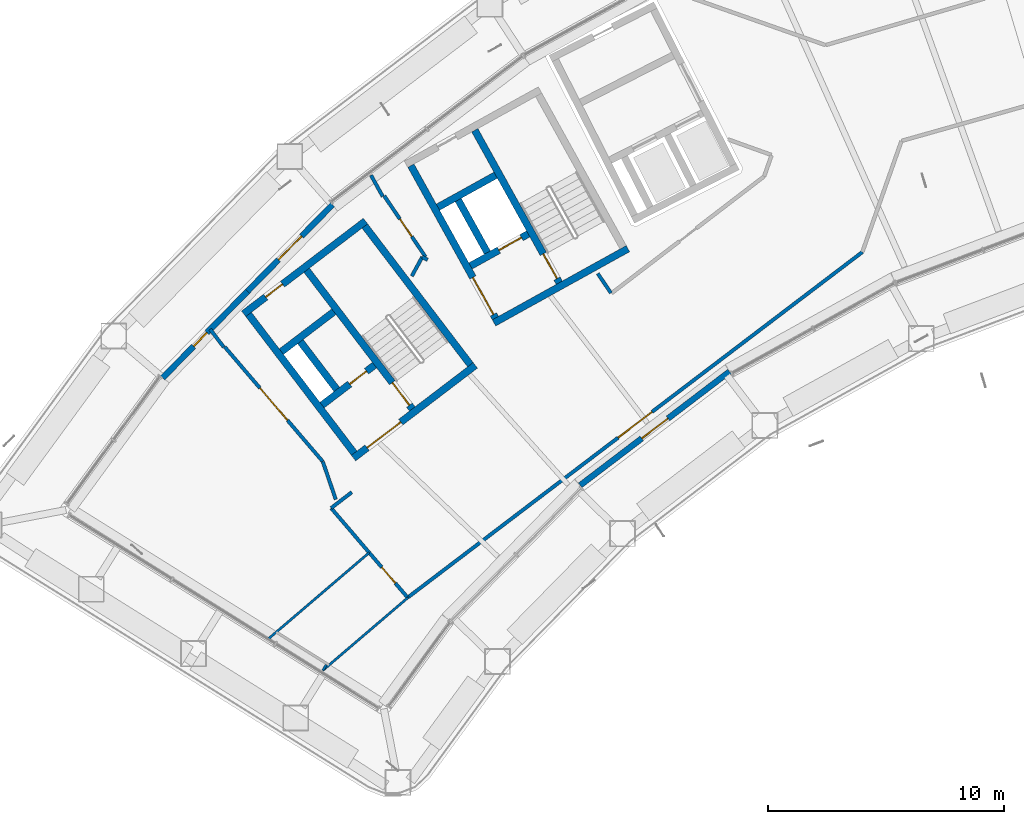
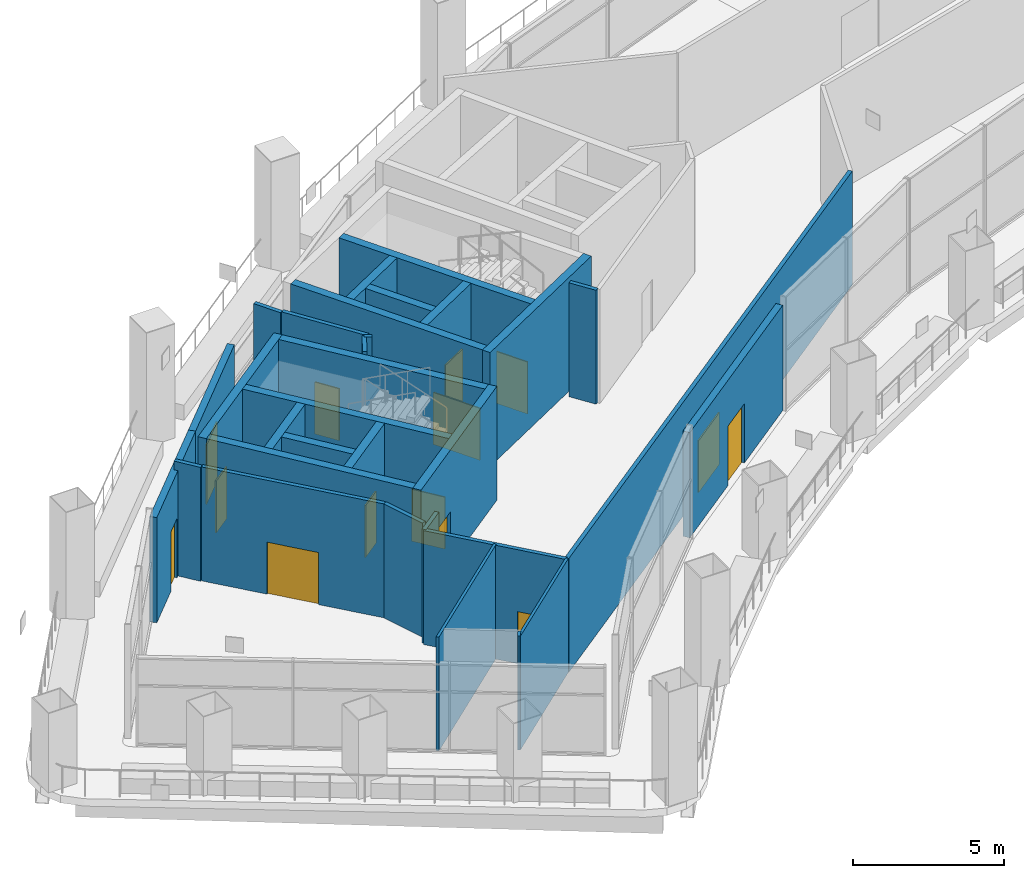
# One storey, part 16 of 28: 31 walls, 13 doors, 1 window, 14 openings.
"""IFC4 building model written with IfcOpenShell, lengths in metres."""

from ifc_helpers import new_model, si_unit, direction, frame, frame_2d, origin, place, context, subcontext, project, spatial, rectangle, extrude, material, layer, layer_set, type_object, element, fill, save


model = new_model("IFC4")

# Units and contexts
model_context = context("Model", 3, precision=1e-05, world=origin(), true_north=direction((0.0, 1.0)))
body_context = subcontext(model_context, "Body", "Model", "MODEL_VIEW")
ifc_project = project(units=[si_unit("LENGTHUNIT", "METRE"), si_unit("AREAUNIT", "SQUARE_METRE"), si_unit("VOLUMEUNIT", "CUBIC_METRE"), si_unit("PLANEANGLEUNIT", "RADIAN"), si_unit("MASSUNIT", "GRAM", prefix="KILO")], contexts=[model_context])

# Site, building, storey
site_placement = place(None, origin())
site = spatial("IfcSite", under=ifc_project, at=site_placement, CompositionType="ELEMENT")
building_placement = place(site_placement, origin())
building = spatial("IfcBuilding", under=site, at=building_placement, Name="Tuul Gate Civic Tower", CompositionType="ELEMENT")
storey_placement = place(building_placement, frame((0.0, 0.0, 128.699951171875)))
storey = spatial("IfcBuildingStorey", under=building, at=storey_placement, Name="Sky garden level 1", CompositionType="ELEMENT", Elevation=128.699951171875)

# Wall, opening, door
ifc_material_1 = material(Name="Concrete C50/60", Category="concrete")
ifc_layer_1 = layer(ifc_material_1, 0.300048828125)
ifc_layer_set_1 = layer_set([ifc_layer_1], Name="Concrete C50/60")
wall_type_1 = type_object("IfcWallType", Name="Core wall C50/60", PredefinedType="SHEAR", material=ifc_layer_set_1)
wall_1_placement = place(storey_placement, frame((-31.19091796875, -13.669677734375, 0.0), z_axis=(0.0, 0.0, 1.0), x_axis=(-0.795606717756, -0.605813461934, 0.0)))
wall_1 = element("IfcWall", 1, at=wall_1_placement, inside=storey, type_object=wall_type_1, Name="Core wall", PredefinedType="SHEAR", context=body_context, shape_type="SweptSolid", body=[
    extrude(rectangle(XDim=6.5, YDim=0.300048828125, at=frame_2d((3.25, 0.0))), origin(), (0.0, 0.0, 1.0), 4.60009765625),
])
opening_1_placement = place(wall_1_placement, frame((3.97509765625, 0.0, 0.0)))
opening_1 = element("IfcOpeningElement", 2, at=opening_1_placement, cuts=wall_1, Name="Opening LB-W1-LOBBY-1", PredefinedType="OPENING", context=body_context, shape_type="SweptSolid", body=[
    extrude(rectangle(XDim=1.800048828125, YDim=2.10009765625, at=frame_2d((0.89990234375, 1.050048828125))), frame((0.0, 0.16015625, 0.0), z_axis=(0.0, -1.0, 0.0), x_axis=(1.0, 0.0, 0.0)), (0.0, 0.0, 1.0), 0.320068359375),
])
ifc_material_2 = material(Name="Steel", Category="steel")
door_type_1 = type_object("IfcDoorType", Name="Lobby door", OperationType="DOUBLE_DOOR_SINGLE_SWING", PredefinedType="DOOR", material=ifc_material_2)
door_1_placement = place(opening_1_placement, origin())
door_1 = element("IfcDoor", 3, at=door_1_placement, inside=storey, type_object=door_type_1, Name="Lobby door W1-LOBBY", OperationType="DOUBLE_DOOR_SINGLE_SWING", OverallHeight=2.10009765625, OverallWidth=1.800048828125, PredefinedType="DOOR", context=body_context, shape_type="SweptSolid", body=[
    extrude(rectangle(XDim=1.800048828125, YDim=2.10009765625, at=frame_2d((0.89990234375, 1.050048828125))), frame((0.0, 0.02490234375, 0.0), z_axis=(0.0, -1.0, 0.0), x_axis=(1.0, 0.0, 0.0)), (0.0, 0.0, 1.0), 0.050048828125),
])
fill(opening_1, door_1)

wall_2_placement = place(storey_placement, frame((-35.470947265625, -13.66064453125, 0.0), z_axis=(0.0, 0.0, 1.0), x_axis=(-0.795615822227, -0.605801504968, 0.0)))
wall_2 = element("IfcWall", 4, at=wall_2_placement, inside=storey, type_object=wall_type_1, Name="Core wall", PredefinedType="SHEAR", context=body_context, shape_type="SweptSolid", body=[
    extrude(rectangle(XDim=2.800048828125, YDim=0.300048828125, at=frame_2d((1.39990234375, 0.0))), origin(), (0.0, 0.0, 1.0), 4.60009765625),
])
opening_2_placement = place(wall_2_placement, frame((0.425048828125, 0.0, 0.0)))
opening_2 = element("IfcOpeningElement", 5, at=opening_2_placement, cuts=wall_2, Name="Opening FB-W1A1", PredefinedType="OPENING", context=body_context, shape_type="SweptSolid", body=[
    extrude(rectangle(XDim=0.89990234375, YDim=2.10009765625, at=frame_2d((0.449951171875, 1.050048828125))), frame((0.0, 0.16015625, 0.0), z_axis=(0.0, -1.0, 0.0), x_axis=(1.0, 0.0, 0.0)), (0.0, 0.0, 1.0), 0.320068359375),
])
ifc_material_3 = material(Name="Steel", Category="steel")
door_type_2 = type_object("IfcDoorType", Name="Store door", OperationType="NOTDEFINED", PredefinedType="DOOR", material=ifc_material_3)
door_2_placement = place(opening_2_placement, frame((0.89990234375, 0.0, 0.0), z_axis=(0.0, 0.0, 1.0), x_axis=(-1.0, 0.0, 0.0)))
door_2 = element("IfcDoor", 6, at=door_2_placement, inside=storey, type_object=door_type_2, Name="Store door W1A1", OperationType="SINGLE_SWING_RIGHT", OverallHeight=2.10009765625, OverallWidth=0.89990234375, PredefinedType="DOOR", context=body_context, shape_type="SweptSolid", body=[
    extrude(rectangle(XDim=0.89990234375, YDim=2.10009765625, at=frame_2d((0.449951171875, 1.050048828125))), frame((0.0, 0.02490234375, 0.0), z_axis=(0.0, -1.0, 0.0), x_axis=(1.0, 0.0, 0.0)), (0.0, 0.0, 1.0), 0.050048828125),
])
fill(opening_2, door_2)

# Wall
wall_3_placement = place(storey_placement, frame((-37.197509765625, -11.39306640625, 0.0), z_axis=(0.0, 0.0, 1.0), x_axis=(-0.795583820278, -0.605843531707, 0.0)))
element("IfcWall", 7, at=wall_3_placement, inside=storey, type_object=wall_type_1, Name="Core wall", PredefinedType="SHEAR", context=body_context, shape_type="SweptSolid", body=[
    extrude(rectangle(XDim=2.7998046875, YDim=0.300048828125, at=frame_2d((1.39990234375, 0.0))), origin(), (0.0, 0.0, 1.0), 4.60009765625),
])

# Wall, opening, door
wall_4_placement = place(storey_placement, frame((-35.855224609375, -7.543212890625, 0.0), z_axis=(0.0, 0.0, 1.0), x_axis=(-0.79563860527, -0.605771582202, 0.0)))
wall_4 = element("IfcWall", 8, at=wall_4_placement, inside=storey, type_object=wall_type_1, Name="Core wall", PredefinedType="SHEAR", context=body_context, shape_type="SweptSolid", body=[
    extrude(rectangle(XDim=6.5, YDim=0.300048828125, at=frame_2d((3.25, 0.0))), origin(), (0.0, 0.0, 1.0), 4.60009765625),
])
opening_3_placement = place(wall_4_placement, frame((4.425048828125, 0.0, 0.0)))
opening_3 = element("IfcOpeningElement", 9, at=opening_3_placement, cuts=wall_4, Name="Opening J-D14", PredefinedType="OPENING", context=body_context, shape_type="SweptSolid", body=[
    extrude(rectangle(XDim=0.89990234375, YDim=2.10009765625, at=frame_2d((0.449951171875, 1.050048828125))), frame((0.0, 0.16015625, 0.0), z_axis=(0.0, -1.0, 0.0), x_axis=(1.0, 0.0, 0.0)), (0.0, 0.0, 1.0), 0.320068359375),
])
ifc_material_4 = material(Name="Timber door leaf", Category="wood")
door_type_3 = type_object("IfcDoorType", Name="Door D09", OperationType="NOTDEFINED", PredefinedType="DOOR", material=ifc_material_4)
door_3_placement = place(opening_3_placement, origin())
door_3 = element("IfcDoor", 10, at=door_3_placement, inside=storey, type_object=door_type_3, Name="Door J-D14", OperationType="SINGLE_SWING_LEFT", OverallHeight=2.10009765625, OverallWidth=0.89990234375, PredefinedType="DOOR", context=body_context, shape_type="SweptSolid", body=[
    extrude(rectangle(XDim=0.89990234375, YDim=2.10009765625, at=frame_2d((0.449951171875, 1.050048828125))), frame((0.0, 0.02490234375, 0.0), z_axis=(0.0, -1.0, 0.0), x_axis=(1.0, 0.0, 0.0)), (0.0, 0.0, 1.0), 0.050048828125),
])
fill(opening_3, door_3)

# Wall
wall_5_placement = place(storey_placement, frame((-31.401123046875, -13.64111328125, 0.0), z_axis=(0.0, 0.0, 1.0), x_axis=(-0.605769822278, 0.795639945213, 0.0)))
element("IfcWall", 11, at=wall_5_placement, inside=storey, type_object=wall_type_1, Name="Core wall", PredefinedType="SHEAR", context=body_context, shape_type="SweptSolid", body=[
    extrude(rectangle(XDim=7.39990234375, YDim=0.300048828125, at=frame_2d((3.699951171875, 0.0))), origin(), (0.0, 0.0, 1.0), 4.60009765625),
])

# Wall, opening, door
wall_6_placement = place(storey_placement, frame((-33.867431640625, -15.51904296875, 0.0), z_axis=(0.0, 0.0, 1.0), x_axis=(-0.605769822278, 0.795639945213, 0.0)))
wall_6 = element("IfcWall", 12, at=wall_6_placement, inside=storey, type_object=wall_type_1, Name="Core wall", PredefinedType="SHEAR", context=body_context, shape_type="SweptSolid", body=[
    extrude(rectangle(XDim=7.39990234375, YDim=0.300048828125, at=frame_2d((3.699951171875, 0.0))), origin(), (0.0, 0.0, 1.0), 4.60009765625),
])
opening_4_placement = place(wall_6_placement, frame((0.199951171875, 0.0, 0.0)))
opening_4 = element("IfcOpeningElement", 13, at=opening_4_placement, cuts=wall_6, Name="Opening SD-ST-1", PredefinedType="OPENING", context=body_context, shape_type="SweptSolid", body=[
    extrude(rectangle(XDim=1.199951171875, YDim=2.10009765625, at=frame_2d((0.60009765625, 1.050048828125))), frame((0.0, 0.16015625, 0.0), z_axis=(0.0, -1.0, 0.0), x_axis=(1.0, 0.0, 0.0)), (0.0, 0.0, 1.0), 0.320068359375),
])
ifc_material_5 = material(Name="Steel", Category="steel")
door_type_4 = type_object("IfcDoorType", Name="Stair door", OperationType="NOTDEFINED", PredefinedType="DOOR", material=ifc_material_5)
door_4_placement = place(opening_4_placement, origin())
door_4 = element("IfcDoor", 14, at=door_4_placement, inside=storey, type_object=door_type_4, Name="Stair door ST-1", OperationType="SINGLE_SWING_LEFT", OverallHeight=2.10009765625, OverallWidth=1.199951171875, PredefinedType="DOOR", context=body_context, shape_type="SweptSolid", body=[
    extrude(rectangle(XDim=1.199951171875, YDim=2.10009765625, at=frame_2d((0.60009765625, 1.050048828125))), frame((0.0, 0.02490234375, 0.0), z_axis=(0.0, -1.0, 0.0), x_axis=(1.0, 0.0, 0.0)), (0.0, 0.0, 1.0), 0.050048828125),
])
fill(opening_4, door_4)

# Walls
wall_7_placement = place(storey_placement, frame((-37.073486328125, -14.6923828125, 0.0), z_axis=(0.0, 0.0, 1.0), x_axis=(-0.605728760074, 0.79567120673, 0.0)))
element("IfcWall", 15, at=wall_7_placement, inside=storey, type_object=wall_type_1, Name="Core wall", PredefinedType="SHEAR", context=body_context, shape_type="SweptSolid", body=[
    extrude(rectangle(XDim=2.550048828125, YDim=0.300048828125, at=frame_2d((1.27490234375, 0.0))), origin(), (0.0, 0.0, 1.0), 4.60009765625),
])
wall_8_placement = place(storey_placement, frame((-36.333984375, -17.397216796875, 0.0), z_axis=(0.0, 0.0, 1.0), x_axis=(-0.605753921168, 0.795652051458, 0.0)))
element("IfcWall", 16, at=wall_8_placement, inside=storey, type_object=wall_type_1, Name="Core wall", PredefinedType="SHEAR", context=body_context, shape_type="SweptSolid", body=[
    extrude(rectangle(XDim=7.400146484375, YDim=0.300048828125, at=frame_2d((3.7001953125, 0.0))), origin(), (0.0, 0.0, 1.0), 4.60009765625),
])
wall_9_placement = place(storey_placement, frame((-24.711669921875, -8.7158203125, 0.0), z_axis=(0.0, 0.0, 1.0), x_axis=(-0.874629909008, -0.484791215132, 0.0)))
element("IfcWall", 17, at=wall_9_placement, inside=storey, type_object=wall_type_1, Name="Core wall", PredefinedType="SHEAR", context=body_context, shape_type="SweptSolid", body=[
    extrude(rectangle(XDim=6.5, YDim=0.300048828125, at=frame_2d((3.25, 0.0))), origin(), (0.0, 0.0, 1.0), 4.60009765625),
])

# Wall, opening, door
wall_10_placement = place(storey_placement, frame((-28.94580078125, -8.090087890625, 0.0), z_axis=(0.0, 0.0, 1.0), x_axis=(-0.874629840737, -0.484791338301, 0.0)))
wall_10 = element("IfcWall", 18, at=wall_10_placement, inside=storey, type_object=wall_type_1, Name="Core wall", PredefinedType="SHEAR", context=body_context, shape_type="SweptSolid", body=[
    extrude(rectangle(XDim=2.800048828125, YDim=0.300048828125, at=frame_2d((1.39990234375, 0.0))), origin(), (0.0, 0.0, 1.0), 4.60009765625),
])
opening_5_placement = place(wall_10_placement, frame((0.324951171875, 0.0, 0.0)))
opening_5 = element("IfcOpeningElement", 19, at=opening_5_placement, cuts=wall_10, Name="Opening LD-FF-1", PredefinedType="OPENING", context=body_context, shape_type="SweptSolid", body=[
    extrude(rectangle(XDim=1.10009765625, YDim=2.10009765625, at=frame_2d((0.550048828125, 1.050048828125))), frame((0.0, 0.16015625, 0.0), z_axis=(0.0, -1.0, 0.0), x_axis=(1.0, 0.0, 0.0)), (0.0, 0.0, 1.0), 0.320068359375),
])
ifc_material_6 = material(Name="Stainless steel", Category="steel")
door_type_5 = type_object("IfcDoorType", Name="Landing door", OperationType="DOUBLE_DOOR_SLIDING", PredefinedType="DOOR", material=ifc_material_6)
door_5_placement = place(opening_5_placement, origin())
door_5 = element("IfcDoor", 20, at=door_5_placement, inside=storey, type_object=door_type_5, Name="Fire-fighting lift FF-1 landing door", OperationType="DOUBLE_DOOR_SLIDING", OverallHeight=2.10009765625, OverallWidth=1.10009765625, PredefinedType="DOOR", context=body_context, shape_type="SweptSolid", body=[
    extrude(rectangle(XDim=1.10009765625, YDim=2.10009765625, at=frame_2d((0.550048828125, 1.050048828125))), frame((0.0, 0.02490234375, 0.0), z_axis=(0.0, -1.0, 0.0), x_axis=(1.0, 0.0, 0.0)), (0.0, 0.0, 1.0), 0.050048828125),
])
fill(opening_5, door_5)

# Wall
wall_11_placement = place(storey_placement, frame((-30.327392578125, -5.59716796875, 0.0), z_axis=(0.0, 0.0, 1.0), x_axis=(-0.874629840737, -0.484791338301, 0.0)))
element("IfcWall", 21, at=wall_11_placement, inside=storey, type_object=wall_type_1, Name="Core wall", PredefinedType="SHEAR", context=body_context, shape_type="SweptSolid", body=[
    extrude(rectangle(XDim=2.800048828125, YDim=0.300048828125, at=frame_2d((1.39990234375, 0.0))), origin(), (0.0, 0.0, 1.0), 4.60009765625),
])

# Wall, opening, door
wall_12_placement = place(storey_placement, frame((-27.626953125, -10.16015625, 0.0), z_axis=(0.0, 0.0, 1.0), x_axis=(-0.484751894226, 0.874651702704, 0.0)))
wall_12 = element("IfcWall", 22, at=wall_12_placement, inside=storey, type_object=wall_type_1, Name="Core wall", PredefinedType="SHEAR", context=body_context, shape_type="SweptSolid", body=[
    extrude(rectangle(XDim=7.39990234375, YDim=0.300048828125, at=frame_2d((3.699951171875, 0.0))), origin(), (0.0, 0.0, 1.0), 4.60009765625),
])
opening_6_placement = place(wall_12_placement, frame((0.199951171875, 0.0, 0.0)))
opening_6 = element("IfcOpeningElement", 23, at=opening_6_placement, cuts=wall_12, Name="Opening SD-ST-2", PredefinedType="OPENING", context=body_context, shape_type="SweptSolid", body=[
    extrude(rectangle(XDim=1.199951171875, YDim=2.10009765625, at=frame_2d((0.60009765625, 1.050048828125))), frame((0.0, 0.16015625, 0.0), z_axis=(0.0, -1.0, 0.0), x_axis=(1.0, 0.0, 0.0)), (0.0, 0.0, 1.0), 0.320068359375),
])
door_6_placement = place(opening_6_placement, origin())
door_6 = element("IfcDoor", 24, at=door_6_placement, inside=storey, type_object=door_type_4, Name="Stair door ST-2", OperationType="SINGLE_SWING_LEFT", OverallHeight=2.10009765625, OverallWidth=1.199951171875, PredefinedType="DOOR", context=body_context, shape_type="SweptSolid", body=[
    extrude(rectangle(XDim=1.199951171875, YDim=2.10009765625, at=frame_2d((0.60009765625, 1.050048828125))), frame((0.0, 0.02490234375, 0.0), z_axis=(0.0, -1.0, 0.0), x_axis=(1.0, 0.0, 0.0)), (0.0, 0.0, 1.0), 0.050048828125),
])
fill(opening_6, door_6)

# Wall
wall_13_placement = place(storey_placement, frame((-30.680419921875, -8.8798828125, 0.0), z_axis=(0.0, 0.0, 1.0), x_axis=(-0.484724115216, 0.874667097888, 0.0)))
element("IfcWall", 25, at=wall_13_placement, inside=storey, type_object=wall_type_1, Name="Core wall", PredefinedType="SHEAR", context=body_context, shape_type="SweptSolid", body=[
    extrude(rectangle(XDim=2.550048828125, YDim=0.300048828125, at=frame_2d((1.27490234375, 0.0))), origin(), (0.0, 0.0, 1.0), 4.60009765625),
])

# Wall, opening, door
wall_14_placement = place(storey_placement, frame((-30.33837890625, -11.6630859375, 0.0), z_axis=(0.0, 0.0, 1.0), x_axis=(-0.484751894226, 0.874651702704, 0.0)))
wall_14 = element("IfcWall", 26, at=wall_14_placement, inside=storey, type_object=wall_type_1, Name="Core wall", PredefinedType="SHEAR", context=body_context, shape_type="SweptSolid", body=[
    extrude(rectangle(XDim=7.39990234375, YDim=0.300048828125, at=frame_2d((3.699951171875, 0.0))), origin(), (0.0, 0.0, 1.0), 4.60009765625),
])
opening_7_placement = place(wall_14_placement, frame((0.175048828125, 0.0, 0.0)))
opening_7 = element("IfcOpeningElement", 27, at=opening_7_placement, cuts=wall_14, Name="Opening LB-W2-FLOBBY-1", PredefinedType="OPENING", context=body_context, shape_type="SweptSolid", body=[
    extrude(rectangle(XDim=1.800048828125, YDim=2.10009765625, at=frame_2d((0.89990234375, 1.050048828125))), frame((0.0, 0.16015625, 0.0), z_axis=(0.0, -1.0, 0.0), x_axis=(1.0, 0.0, 0.0)), (0.0, 0.0, 1.0), 0.320068359375),
])
door_7_placement = place(opening_7_placement, origin())
door_7 = element("IfcDoor", 28, at=door_7_placement, inside=storey, type_object=door_type_1, Name="Lobby door W2-FLOBBY", OperationType="DOUBLE_DOOR_SINGLE_SWING", OverallHeight=2.10009765625, OverallWidth=1.800048828125, PredefinedType="DOOR", context=body_context, shape_type="SweptSolid", body=[
    extrude(rectangle(XDim=1.800048828125, YDim=2.10009765625, at=frame_2d((0.89990234375, 1.050048828125))), frame((0.0, 0.02490234375, 0.0), z_axis=(0.0, -1.0, 0.0), x_axis=(1.0, 0.0, 0.0)), (0.0, 0.0, 1.0), 0.050048828125),
])
fill(opening_7, door_7)

# Walls
ifc_material_7 = material(Name="Gypsum board partition")
ifc_layer_2 = layer(ifc_material_7, 0.14990234375)
ifc_layer_set_2 = layer_set([ifc_layer_2], Name="Gypsum board partition")
wall_type_2 = type_object("IfcWallType", Name="Corridor wall P150", PredefinedType="PARTITIONING", material=ifc_layer_set_2)
wall_15_placement = place(storey_placement, frame((-37.3134765625, -19.7294921875, 0.0), z_axis=(0.0, 0.0, 1.0), x_axis=(0.793912196699, 0.608032420133, 0.0)))
element("IfcWall", 29, at=wall_15_placement, inside=storey, type_object=wall_type_2, Name="p007", PredefinedType="PARTITIONING", context=body_context, shape_type="SweptSolid", body=[
    extrude(rectangle(XDim=1.1044921875, YDim=0.14990234375, at=frame_2d((0.55224609375, 0.0))), origin(), (0.0, 0.0, 1.0), 4.60009765625),
])
wall_16_placement = place(storey_placement, frame((-25.99365234375, -9.77001953125, 0.0), z_axis=(0.0, 0.0, 1.0), x_axis=(0.561251524086, -0.827645290394, 0.0)))
element("IfcWall", 30, at=wall_16_placement, inside=storey, type_object=wall_type_2, Name="p009", PredefinedType="PARTITIONING", context=body_context, shape_type="SweptSolid", body=[
    extrude(rectangle(XDim=1.00341796875, YDim=0.14990234375, at=frame_2d((0.501708984375, 0.0))), origin(), (0.0, 0.0, 1.0), 4.60009765625),
])
wall_17_placement = place(storey_placement, frame((-35.62060546875, -5.597900390625, 0.0), z_axis=(0.0, 0.0, 1.0), x_axis=(0.484918324928, -0.874559442319, 0.0)))
element("IfcWall", 31, at=wall_17_placement, inside=storey, type_object=wall_type_2, Name="p010", PredefinedType="PARTITIONING", context=body_context, shape_type="SweptSolid", body=[
    extrude(rectangle(XDim=1.030029296875, YDim=0.14990234375, at=frame_2d((0.51513671875, 0.0))), origin(), (0.0, 0.0, 1.0), 4.60009765625),
])

# Wall, opening, door
wall_18_placement = place(storey_placement, frame((-35.058837890625, -6.475341796875, 0.0), z_axis=(0.0, 0.0, 1.0), x_axis=(0.561112093274, -0.827739825538, 0.0)))
wall_18 = element("IfcWall", 32, at=wall_18_placement, inside=storey, type_object=wall_type_2, Name="p011", PredefinedType="PARTITIONING", context=body_context, shape_type="SweptSolid", body=[
    extrude(rectangle(XDim=3.12890625, YDim=0.14990234375, at=frame_2d((1.564453125, 0.0))), origin(), (0.0, 0.0, 1.0), 4.60009765625),
])
opening_8_placement = place(wall_18_placement, frame((1.189453125, 0.0, 0.0)))
opening_8 = element("IfcOpeningElement", 33, at=opening_8_placement, cuts=wall_18, Name="Opening J-D03", PredefinedType="OPENING", context=body_context, shape_type="SweptSolid", body=[
    extrude(rectangle(XDim=0.89990234375, YDim=2.10009765625, at=frame_2d((0.449951171875, 1.050048828125))), frame((0.0, 0.0849609375, 0.0), z_axis=(0.0, -1.0, 0.0), x_axis=(1.0, 0.0, 0.0)), (0.0, 0.0, 1.0), 0.169921875),
])
door_8_placement = place(opening_8_placement, frame((0.89990234375, 0.0, 0.0), z_axis=(0.0, 0.0, 1.0), x_axis=(-1.0, 0.0, 0.0)))
door_8 = element("IfcDoor", 34, at=door_8_placement, inside=storey, type_object=door_type_3, Name="Door J-D03", OperationType="SINGLE_SWING_LEFT", OverallHeight=2.10009765625, OverallWidth=0.89990234375, PredefinedType="DOOR", context=body_context, shape_type="SweptSolid", body=[
    extrude(rectangle(XDim=0.89990234375, YDim=2.10009765625, at=frame_2d((0.449951171875, 1.050048828125))), frame((0.0, 0.02490234375, 0.0), z_axis=(0.0, -1.0, 0.0), x_axis=(1.0, 0.0, 0.0)), (0.0, 0.0, 1.0), 0.050048828125),
])
fill(opening_8, door_8)

# Walls
wall_19_placement = place(storey_placement, frame((-33.443115234375, -9.06689453125, 0.0), z_axis=(0.0, 0.0, 1.0), x_axis=(0.87738371262, -0.479789350474, 0.0)))
element("IfcWall", 35, at=wall_19_placement, inside=storey, type_object=wall_type_2, Name="p012", PredefinedType="PARTITIONING", context=body_context, shape_type="SweptSolid", body=[
    extrude(rectangle(XDim=0.25537109375, YDim=0.14990234375, at=frame_2d((0.127685546875, 0.0))), origin(), (0.0, 0.0, 1.0), 4.60009765625),
])
wall_20_placement = place(storey_placement, frame((-33.887451171875, -9.880126953125, 0.0), z_axis=(0.0, 0.0, 1.0), x_axis=(0.479479590626, 0.877553030975, 0.0)))
element("IfcWall", 36, at=wall_20_placement, inside=storey, type_object=wall_type_2, Name="p013", PredefinedType="PARTITIONING", context=body_context, shape_type="SweptSolid", body=[
    extrude(rectangle(XDim=0.9267578125, YDim=0.14990234375, at=frame_2d((0.46337890625, 0.0))), origin(), (0.0, 0.0, 1.0), 4.60009765625),
])
wall_21_placement = place(storey_placement, frame((-42.44921875, -12.13818359375, 0.0), z_axis=(0.0, 0.0, 1.0), x_axis=(0.605942602207, -0.795508367543, 0.0)))
element("IfcWall", 37, at=wall_21_placement, inside=storey, type_object=wall_type_2, Name="p023", PredefinedType="PARTITIONING", context=body_context, shape_type="SweptSolid", body=[
    extrude(rectangle(XDim=0.950439453125, YDim=0.14990234375, at=frame_2d((0.47509765625, 0.0))), origin(), (0.0, 0.0, 1.0), 4.60009765625),
])

# Wall, opening, door
wall_22_placement = place(storey_placement, frame((-41.834228515625, -12.8818359375, 0.0), z_axis=(0.0, 0.0, 1.0), x_axis=(0.649825143765, -0.760083733895, 0.0)))
wall_22 = element("IfcWall", 38, at=wall_22_placement, inside=storey, type_object=wall_type_2, Name="p024", PredefinedType="PARTITIONING", context=body_context, shape_type="SweptSolid", body=[
    extrude(rectangle(XDim=6.41259765625, YDim=0.14990234375, at=frame_2d((3.206298828125, 0.0))), origin(), (0.0, 0.0, 1.0), 4.60009765625),
])
opening_9_placement = place(wall_22_placement, frame((2.30615234375, 0.0, 0.0)))
opening_9 = element("IfcOpeningElement", 39, at=opening_9_placement, cuts=wall_22, Name="Opening J-D06", PredefinedType="OPENING", context=body_context, shape_type="SweptSolid", body=[
    extrude(rectangle(XDim=1.800048828125, YDim=2.10009765625, at=frame_2d((0.89990234375, 1.050048828125))), frame((0.0, 0.0849609375, 0.0), z_axis=(0.0, -1.0, 0.0), x_axis=(1.0, 0.0, 0.0)), (0.0, 0.0, 1.0), 0.169921875),
])
ifc_material_8 = material(Name="Timber door leaf, double", Category="wood")
door_type_6 = type_object("IfcDoorType", Name="Door D18", OperationType="DOUBLE_DOOR_SINGLE_SWING", PredefinedType="DOOR", material=ifc_material_8)
door_9_placement = place(opening_9_placement, frame((1.800048828125, 0.0, 0.0), z_axis=(0.0, 0.0, 1.0), x_axis=(-1.0, 0.0, 0.0)))
door_9 = element("IfcDoor", 40, at=door_9_placement, inside=storey, type_object=door_type_6, Name="Door J-D06", OperationType="DOUBLE_DOOR_SINGLE_SWING", OverallHeight=2.10009765625, OverallWidth=1.800048828125, PredefinedType="DOOR", context=body_context, shape_type="SweptSolid", body=[
    extrude(rectangle(XDim=1.800048828125, YDim=2.10009765625, at=frame_2d((0.900146484375, 1.050048828125))), frame((0.0, 0.02490234375, 0.0), z_axis=(0.0, -1.0, 0.0), x_axis=(1.0, 0.0, 0.0)), (0.0, 0.0, 1.0), 0.050048828125),
])
fill(opening_9, door_9)

# Wall
wall_23_placement = place(storey_placement, frame((-37.667236328125, -17.755859375, 0.0), z_axis=(0.0, 0.0, 1.0), x_axis=(0.32438293295, -0.945925849531, 0.0)))
element("IfcWall", 41, at=wall_23_placement, inside=storey, type_object=wall_type_2, Name="p025", PredefinedType="PARTITIONING", context=body_context, shape_type="SweptSolid", body=[
    extrude(rectangle(XDim=1.703857421875, YDim=0.14990234375, at=frame_2d((0.85205078125, 0.0))), origin(), (0.0, 0.0, 1.0), 4.60009765625),
])

# Wall, opening, door
wall_24_placement = place(storey_placement, frame((-37.3134765625, -19.7294921875, 0.0), z_axis=(0.0, 0.0, 1.0), x_axis=(0.649795679412, -0.760108923127, 0.0)))
wall_24 = element("IfcWall", 42, at=wall_24_placement, inside=storey, type_object=wall_type_2, Name="p026", PredefinedType="PARTITIONING", context=body_context, shape_type="SweptSolid", body=[
    extrude(rectangle(XDim=5.010498046875, YDim=0.14990234375, at=frame_2d((2.50537109375, 0.0))), origin(), (0.0, 0.0, 1.0), 4.60009765625),
])
opening_10_placement = place(wall_24_placement, frame((3.2998046875, 0.0, 0.0)))
opening_10 = element("IfcOpeningElement", 43, at=opening_10_placement, cuts=wall_24, Name="Opening J-D07", PredefinedType="OPENING", context=body_context, shape_type="SweptSolid", body=[
    extrude(rectangle(XDim=0.89990234375, YDim=2.10009765625, at=frame_2d((0.449951171875, 1.050048828125))), frame((0.0, 0.0849609375, 0.0), z_axis=(0.0, -1.0, 0.0), x_axis=(1.0, 0.0, 0.0)), (0.0, 0.0, 1.0), 0.169921875),
])
door_10_placement = place(opening_10_placement, frame((0.89990234375, 0.0, 0.0), z_axis=(0.0, 0.0, 1.0), x_axis=(-1.0, 0.0, 0.0)))
door_10 = element("IfcDoor", 44, at=door_10_placement, inside=storey, type_object=door_type_3, Name="Door J-D07", OperationType="SINGLE_SWING_LEFT", OverallHeight=2.10009765625, OverallWidth=0.89990234375, PredefinedType="DOOR", context=body_context, shape_type="SweptSolid", body=[
    extrude(rectangle(XDim=0.89990234375, YDim=2.10009765625, at=frame_2d((0.449951171875, 1.050048828125))), frame((0.0, 0.02490234375, 0.0), z_axis=(0.0, -1.0, 0.0), x_axis=(1.0, 0.0, 0.0)), (0.0, 0.0, 1.0), 0.050048828125),
])
fill(opening_10, door_10)

wall_25_placement = place(storey_placement, frame((-34.0556640625, -23.523193359375, 0.0), z_axis=(0.0, 0.0, 1.0), x_axis=(0.796222557585, 0.605003833701, 0.0)))
wall_25 = element("IfcWall", 45, at=wall_25_placement, inside=storey, type_object=wall_type_2, Name="p037", PredefinedType="PARTITIONING", context=body_context, shape_type="SweptSolid", body=[
    extrude(rectangle(XDim=24.23681640625, YDim=0.14990234375, at=frame_2d((12.118408203125, 0.0))), origin(), (0.0, 0.0, 1.0), 4.60009765625),
])
opening_11_placement = place(wall_25_placement, frame((11.21826171875, 0.0, 0.0)))
opening_11 = element("IfcOpeningElement", 46, at=opening_11_placement, cuts=wall_25, Name="Opening J-D10", PredefinedType="OPENING", context=body_context, shape_type="SweptSolid", body=[
    extrude(rectangle(XDim=1.800048828125, YDim=2.10009765625, at=frame_2d((0.89990234375, 1.050048828125))), frame((0.0, 0.0849609375, 0.0), z_axis=(0.0, -1.0, 0.0), x_axis=(1.0, 0.0, 0.0)), (0.0, 0.0, 1.0), 0.169921875),
])
door_11_placement = place(opening_11_placement, origin())
door_11 = element("IfcDoor", 47, at=door_11_placement, inside=storey, type_object=door_type_6, Name="Door J-D10", OperationType="DOUBLE_DOOR_SINGLE_SWING", OverallHeight=2.10009765625, OverallWidth=1.800048828125, PredefinedType="DOOR", context=body_context, shape_type="SweptSolid", body=[
    extrude(rectangle(XDim=1.800048828125, YDim=2.10009765625, at=frame_2d((0.89990234375, 1.050048828125))), frame((0.0, 0.02490234375, 0.0), z_axis=(0.0, -1.0, 0.0), x_axis=(1.0, 0.0, 0.0)), (0.0, 0.0, 1.0), 0.050048828125),
])
fill(opening_11, door_11)

ifc_material_9 = material(Name="Precast concrete C40/50", Category="concrete")
ifc_layer_3 = layer(ifc_material_9, 0.25)
ifc_layer_set_3 = layer_set([ifc_layer_3], Name="Precast concrete C40/50")
wall_type_3 = type_object("IfcWallType", Name="External wall", PredefinedType="STANDARD", material=ifc_layer_set_3)
wall_26_placement = place(storey_placement, frame((-37.254638671875, -6.846435546875, 0.0), z_axis=(0.0, 0.0, 1.0), x_axis=(-0.70005671953, -0.714087242178, 0.0)))
wall_26 = element("IfcWall", 48, at=wall_26_placement, inside=storey, type_object=wall_type_3, Name="External wall", PredefinedType="STANDARD", context=body_context, shape_type="SweptSolid", body=[
    extrude(rectangle(XDim=5.150634765625, YDim=0.25, at=frame_2d((2.5751953125, 0.0))), origin(), (0.0, 0.0, 1.0), 4.25),
])
opening_12_placement = place(wall_26_placement, frame((1.875244140625, 0.0, 0.0)))
opening_12 = element("IfcOpeningElement", 49, at=opening_12_placement, cuts=wall_26, Name="Opening TD", PredefinedType="OPENING", context=body_context, shape_type="SweptSolid", body=[
    extrude(rectangle(XDim=1.39990234375, YDim=2.39990234375, at=frame_2d((0.699951171875, 1.199951171875))), frame((0.0, 0.135009765625, 0.0), z_axis=(0.0, -1.0, 0.0), x_axis=(1.0, 0.0, 0.0)), (0.0, 0.0, 1.0), 0.27001953125),
])
ifc_material_10 = material(Name="Glazed aluminium", Category="aluminium")
door_type_7 = type_object("IfcDoorType", Name="Terrace door", OperationType="DOUBLE_DOOR_SINGLE_SWING", PredefinedType="DOOR", material=ifc_material_10)
door_12_placement = place(opening_12_placement, frame((1.39990234375, 0.0, 0.0), z_axis=(0.0, 0.0, 1.0), x_axis=(-1.0, 0.0, 0.0)))
door_12 = element("IfcDoor", 50, at=door_12_placement, inside=storey, type_object=door_type_7, Name="Terrace door", OperationType="DOUBLE_DOOR_SINGLE_SWING", OverallHeight=2.39990234375, OverallWidth=1.39990234375, PredefinedType="DOOR", context=body_context, shape_type="SweptSolid", body=[
    extrude(rectangle(XDim=1.39990234375, YDim=2.39990234375, at=frame_2d((0.699951171875, 1.199951171875))), frame((0.0, 0.02490234375, 0.0), z_axis=(0.0, -1.0, 0.0), x_axis=(1.0, 0.0, 0.0)), (0.0, 0.0, 1.0), 0.050048828125),
])
fill(opening_12, door_12)

# Wall, opening, window
wall_27_placement = place(storey_placement, frame((-40.8603515625, -10.5244140625, 0.0), z_axis=(0.0, 0.0, 1.0), x_axis=(-0.70003254788, -0.714110938096, 0.0)))
wall_27 = element("IfcWall", 51, at=wall_27_placement, inside=storey, type_object=wall_type_3, Name="External wall", PredefinedType="STANDARD", context=body_context, shape_type="SweptSolid", body=[
    extrude(rectangle(XDim=5.150390625, YDim=0.25, at=frame_2d((2.5751953125, 0.0))), origin(), (0.0, 0.0, 1.0), 4.25),
])
opening_13_placement = place(wall_27_placement, frame((2.47021484375, 0.0, 0.0)))
opening_13 = element("IfcOpeningElement", 52, at=opening_13_placement, cuts=wall_27, Name="Opening W45", PredefinedType="OPENING", context=body_context, shape_type="SweptSolid", body=[
    extrude(rectangle(XDim=0.800048828125, YDim=2.39990234375, at=frame_2d((0.39990234375, 1.199951171875))), frame((0.0, 0.135009765625, 0.0), z_axis=(0.0, -1.0, 0.0), x_axis=(1.0, 0.0, 0.0)), (0.0, 0.0, 1.0), 0.27001953125),
])
ifc_material_11 = material(Name="Glazed aluminium", Category="aluminium")
window_type = type_object("IfcWindowType", Name="Window 800 x 2400", PartitioningType="SINGLE_PANEL", PredefinedType="WINDOW", material=ifc_material_11)
window_placement = place(opening_13_placement, origin())
window = element("IfcWindow", 53, at=window_placement, inside=storey, type_object=window_type, Name="Window", OverallHeight=2.39990234375, OverallWidth=0.800048828125, PartitioningType="SINGLE_PANEL", PredefinedType="WINDOW", context=body_context, shape_type="SweptSolid", body=[
    extrude(rectangle(XDim=0.800048828125, YDim=2.39990234375, at=frame_2d((0.39990234375, 1.199951171875))), frame((0.0, 0.030029296875, 0.0), z_axis=(0.0, -1.0, 0.0), x_axis=(1.0, 0.0, 0.0)), (0.0, 0.0, 1.0), 0.06005859375),
])
fill(opening_13, window)

# Wall, opening, door
wall_28_placement = place(storey_placement, frame((-26.73876953125, -18.762451171875, 0.0), z_axis=(0.0, 0.0, 1.0), x_axis=(0.795651807763, 0.60575424126, 0.0)))
wall_28 = element("IfcWall", 54, at=wall_28_placement, inside=storey, type_object=wall_type_3, Name="External wall", PredefinedType="STANDARD", context=body_context, shape_type="SweptSolid", body=[
    extrude(rectangle(XDim=7.968505859375, YDim=0.25, at=frame_2d((3.984375, 0.0))), origin(), (0.0, 0.0, 1.0), 4.25),
])
opening_14_placement = place(wall_28_placement, frame((3.2841796875, 0.0, 0.0)))
opening_14 = element("IfcOpeningElement", 55, at=opening_14_placement, cuts=wall_28, Name="Opening TD", PredefinedType="OPENING", context=body_context, shape_type="SweptSolid", body=[
    extrude(rectangle(XDim=1.39990234375, YDim=2.39990234375, at=frame_2d((0.699951171875, 1.199951171875))), frame((0.0, 0.135009765625, 0.0), z_axis=(0.0, -1.0, 0.0), x_axis=(1.0, 0.0, 0.0)), (0.0, 0.0, 1.0), 0.27001953125),
])
door_13_placement = place(opening_14_placement, frame((1.39990234375, 0.0, 0.0), z_axis=(0.0, 0.0, 1.0), x_axis=(-1.0, 0.0, 0.0)))
door_13 = element("IfcDoor", 56, at=door_13_placement, inside=storey, type_object=door_type_7, Name="Terrace door", OperationType="DOUBLE_DOOR_SINGLE_SWING", OverallHeight=2.39990234375, OverallWidth=1.39990234375, PredefinedType="DOOR", context=body_context, shape_type="SweptSolid", body=[
    extrude(rectangle(XDim=1.39990234375, YDim=2.39990234375, at=frame_2d((0.699951171875, 1.199951171875))), frame((0.0, 0.02490234375, 0.0), z_axis=(0.0, -1.0, 0.0), x_axis=(1.0, 0.0, 0.0)), (0.0, 0.0, 1.0), 0.050048828125),
])
fill(opening_14, door_13)

# Walls
ifc_material_12 = material(Name="Gypsum board partition")
ifc_layer_4 = layer(ifc_material_12, 0.10009765625)
ifc_layer_set_4 = layer_set([ifc_layer_4], Name="Gypsum board partition")
wall_type_4 = type_object("IfcWallType", Name="Partition P100", PredefinedType="PARTITIONING", material=ifc_layer_set_4)
wall_29_placement = place(storey_placement, frame((-40.031494140625, -25.327880859375, 0.0), z_axis=(0.0, 0.0, 1.0), x_axis=(0.760081094088, 0.649828231466, 0.0)))
element("IfcWall", 57, at=wall_29_placement, inside=storey, type_object=wall_type_4, Name="p022", PredefinedType="PARTITIONING", context=body_context, shape_type="SweptSolid", body=[
    extrude(rectangle(XDim=5.701904296875, YDim=0.10009765625, at=frame_2d((2.85107421875, 0.0))), origin(), (0.0, 0.0, 1.0), 4.60009765625),
])
wall_30_placement = place(storey_placement, frame((-37.66455078125, -26.620361328125, 0.0), z_axis=(0.0, 0.0, 1.0), x_axis=(0.760100482255, 0.649805553127, 0.0)))
element("IfcWall", 58, at=wall_30_placement, inside=storey, type_object=wall_type_4, Name="p027", PredefinedType="PARTITIONING", context=body_context, shape_type="SweptSolid", body=[
    extrude(rectangle(XDim=4.754638671875, YDim=0.10009765625, at=frame_2d((2.37744140625, 0.0))), origin(), (0.0, 0.0, 1.0), 4.60009765625),
])
wall_31_placement = place(storey_placement, frame((-37.66455078125, -26.620361328125, 0.0), z_axis=(0.0, 0.0, 1.0), x_axis=(0.529920593479, 0.84804726555, 0.0)))
element("IfcWall", 59, at=wall_31_placement, inside=storey, type_object=wall_type_4, Name="p056", PredefinedType="PARTITIONING", context=body_context, shape_type="SweptSolid", body=[
    extrude(rectangle(XDim=0.280029296875, YDim=0.10009765625, at=frame_2d((0.14013671875, 0.0))), origin(), (0.0, 0.0, 1.0), 4.60009765625),
])

save(model, "model.ifc")
